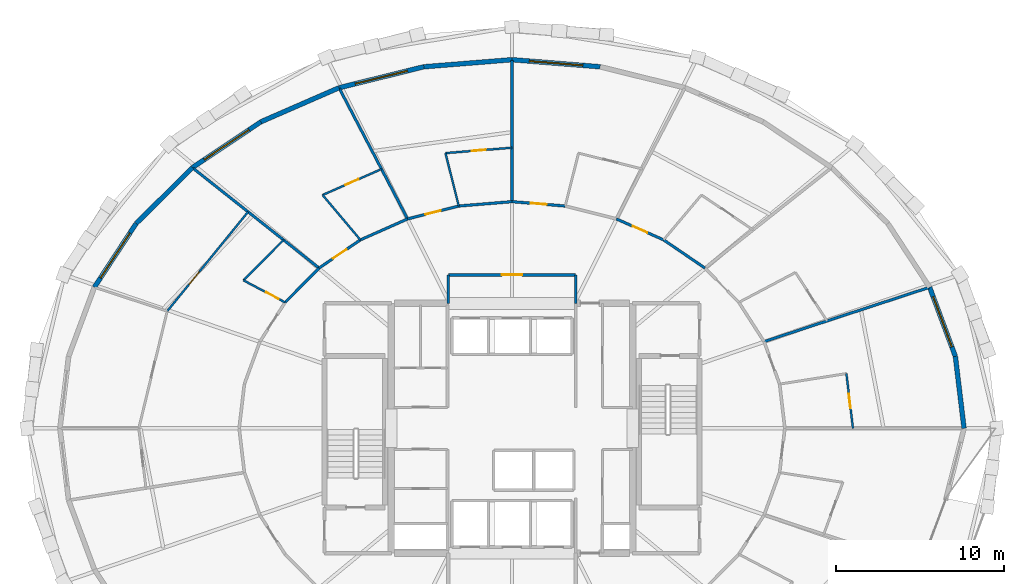
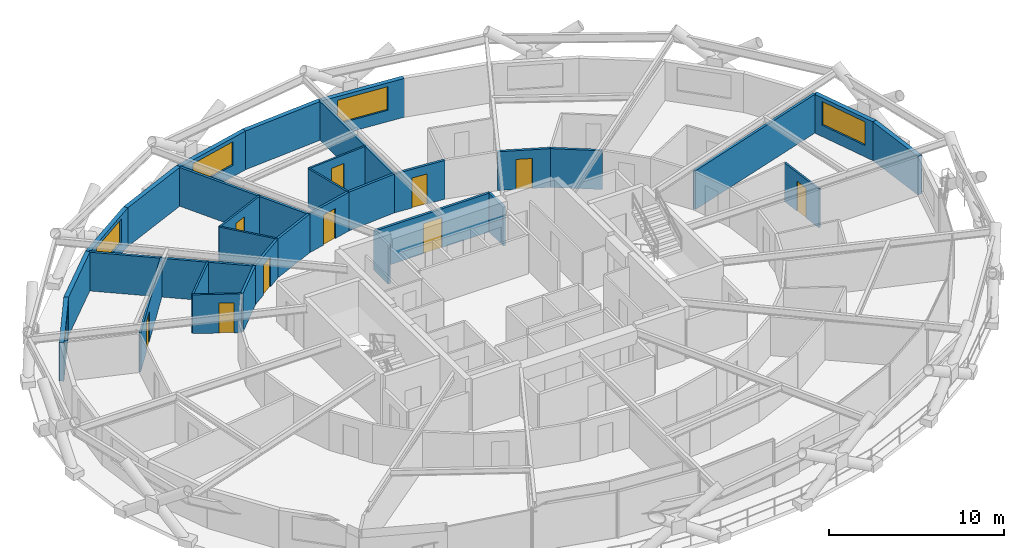
# One storey, part 17 of 21: 32 walls, 10 doors, 5 windows, 15 openings.
"""IFC4 building model written with IfcOpenShell, lengths in metres."""

from ifc_helpers import new_model, si_unit, direction, frame, frame_2d, origin, place, context, subcontext, project, spatial, rectangle, extrude, material, layer, layer_set, type_object, element, fill, save


model = new_model("IFC4")

# Units and contexts
model_context = context("Model", 3, precision=1e-05, world=origin(), true_north=direction((0.0, 1.0)))
body_context = subcontext(model_context, "Body", "Model", "MODEL_VIEW")
ifc_project = project(units=[si_unit("LENGTHUNIT", "METRE"), si_unit("AREAUNIT", "SQUARE_METRE"), si_unit("VOLUMEUNIT", "CUBIC_METRE"), si_unit("PLANEANGLEUNIT", "RADIAN"), si_unit("MASSUNIT", "GRAM", prefix="KILO")], contexts=[model_context])

# Site, building, storey
site_placement = place(None, origin())
site = spatial("IfcSite", under=ifc_project, at=site_placement, CompositionType="ELEMENT")
building_placement = place(site_placement, origin())
building = spatial("IfcBuilding", under=site, at=building_placement, Name="Veldorina Hangang Commons", CompositionType="ELEMENT")
storey_placement = place(building_placement, frame((0.0, 0.0, 91.60009765625)))
storey = spatial("IfcBuildingStorey", under=building, at=storey_placement, Name="L23", CompositionType="ELEMENT", Elevation=91.60009765625)

# Wall
ifc_material_1 = material(Name="Stone Roman Travertine", Category="masonry")
ifc_layer_1 = layer(ifc_material_1, 0.280029296875)
ifc_layer_set_1 = layer_set([ifc_layer_1], Name="Stone Roman Travertine")
wall_type_1 = type_object("IfcWallType", Name="EW-TRAV-280", PredefinedType="STANDARD", material=ifc_layer_set_1)
wall_1_placement = place(storey_placement, frame((58.96142578125, 24.0, 0.0), z_axis=(0.0, 0.0, 1.0), x_axis=(-0.11991619344, 0.992784018078, 0.0)))
element("IfcWall", 1, at=wall_1_placement, inside=storey, type_object=wall_type_1, Name="L23 travertine facade wall 00", PredefinedType="STANDARD", context=body_context, shape_type="SweptSolid", body=[
    extrude(rectangle(XDim=4.3203125, YDim=0.280029296875, at=frame_2d((2.16015625, 0.0))), origin(), (0.0, 0.0, 1.0), 2.7099609375),
])

# Wall, opening, window
wall_2_placement = place(storey_placement, frame((58.443359375, 28.2890625, 0.0), z_axis=(0.0, 0.0, 1.0), x_axis=(-0.348647575397, 0.937253897388, 0.0)))
wall_2 = element("IfcWall", 2, at=wall_2_placement, inside=storey, type_object=wall_type_1, Name="L23 travertine facade wall 01", PredefinedType="STANDARD", context=body_context, shape_type="SweptSolid", body=[
    extrude(rectangle(XDim=4.400390625, YDim=0.280029296875, at=frame_2d((2.2001953125, 0.0))), origin(), (0.0, 0.0, 1.0), 2.7099609375),
])
opening_1_placement = place(wall_2_placement, frame((0.60009765625, 0.0, 0.800048828125)))
opening_1 = element("IfcOpeningElement", 3, at=opening_1_placement, cuts=wall_2, Name="Opening W-01", PredefinedType="OPENING", context=body_context, shape_type="SweptSolid", body=[
    extrude(rectangle(XDim=3.199951171875, YDim=1.64990234375, at=frame_2d((1.60009765625, 0.824951171875))), frame((0.0, 0.14990234375, 0.0), z_axis=(0.0, -1.0, 0.0), x_axis=(1.0, 0.0, 0.0)), (0.0, 0.0, 1.0), 0.300048828125),
])
ifc_material_2 = material(Name="Glass Low-E Triple IGU", Category="glass")
window_type = type_object("IfcWindowType", Name="WIN-TWR-3200", PartitioningType="SINGLE_PANEL", PredefinedType="WINDOW", material=ifc_material_2)
window_1_placement = place(opening_1_placement, origin())
window_1 = element("IfcWindow", 4, at=window_1_placement, inside=storey, type_object=window_type, Name="L23 facade window 01", OverallHeight=1.64990234375, OverallWidth=3.199951171875, PartitioningType="SINGLE_PANEL", PredefinedType="WINDOW", context=body_context, shape_type="SweptSolid", body=[
    extrude(rectangle(XDim=3.199951171875, YDim=1.64990234375, at=frame_2d((1.60009765625, 0.824951171875))), frame((0.0, 0.030029296875, 0.0), z_axis=(0.0, -1.0, 0.0), x_axis=(1.0, 0.0, 0.0)), (0.0, 0.0, 1.0), 0.06005859375),
])
fill(opening_1, window_1)

wall_3_placement = place(storey_placement, frame((37.260009765625, 45.5625, 0.0), z_axis=(0.0, 0.0, 1.0), x_axis=(-0.996788005548, 0.080085404391, 0.0)))
wall_3 = element("IfcWall", 5, at=wall_3_placement, inside=storey, type_object=wall_type_1, Name="L23 travertine facade wall 07", PredefinedType="STANDARD", context=body_context, shape_type="SweptSolid", body=[
    extrude(rectangle(XDim=5.27685546875, YDim=0.280029296875, at=frame_2d((2.638427734375, 0.0))), origin(), (0.0, 0.0, 1.0), 2.7099609375),
])
opening_2_placement = place(wall_3_placement, frame((1.038330078125, 0.0, 0.800048828125)))
opening_2 = element("IfcOpeningElement", 6, at=opening_2_placement, cuts=wall_3, Name="Opening W-01", PredefinedType="OPENING", context=body_context, shape_type="SweptSolid", body=[
    extrude(rectangle(XDim=3.199951171875, YDim=1.64990234375, at=frame_2d((1.60009765625, 0.824951171875))), frame((0.0, 0.14990234375, 0.0), z_axis=(0.0, -1.0, 0.0), x_axis=(1.0, 0.0, 0.0)), (0.0, 0.0, 1.0), 0.300048828125),
])
window_2_placement = place(opening_2_placement, origin())
window_2 = element("IfcWindow", 7, at=window_2_placement, inside=storey, type_object=window_type, Name="L23 facade window 07", OverallHeight=1.64990234375, OverallWidth=3.199951171875, PartitioningType="SINGLE_PANEL", PredefinedType="WINDOW", context=body_context, shape_type="SweptSolid", body=[
    extrude(rectangle(XDim=3.199951171875, YDim=1.64990234375, at=frame_2d((1.60009765625, 0.824951171875))), frame((0.0, 0.030029296875, 0.0), z_axis=(0.0, -1.0, 0.0), x_axis=(1.0, 0.0, 0.0)), (0.0, 0.0, 1.0), 0.06005859375),
])
fill(opening_2, window_2)

# Wall
wall_4_placement = place(storey_placement, frame((32.0, 45.985107421875, 0.0), z_axis=(0.0, 0.0, 1.0), x_axis=(-0.996788005548, -0.080085404391, 0.0)))
element("IfcWall", 8, at=wall_4_placement, inside=storey, type_object=wall_type_1, Name="L23 travertine facade wall 08", PredefinedType="STANDARD", context=body_context, shape_type="SweptSolid", body=[
    extrude(rectangle(XDim=5.27685546875, YDim=0.280029296875, at=frame_2d((2.638427734375, 0.0))), origin(), (0.0, 0.0, 1.0), 2.7099609375),
])

# Wall, opening, window
wall_5_placement = place(storey_placement, frame((26.739990234375, 45.5625, 0.0), z_axis=(0.0, 0.0, 1.0), x_axis=(-0.970745887498, -0.240109187466, 0.0)))
wall_5 = element("IfcWall", 9, at=wall_5_placement, inside=storey, type_object=wall_type_1, Name="L23 travertine facade wall 09", PredefinedType="STANDARD", context=body_context, shape_type="SweptSolid", body=[
    extrude(rectangle(XDim=5.2099609375, YDim=0.280029296875, at=frame_2d((2.60498046875, 0.0))), origin(), (0.0, 0.0, 1.0), 2.7099609375),
])
opening_3_placement = place(wall_5_placement, frame((1.005126953125, 0.0, 0.800048828125)))
opening_3 = element("IfcOpeningElement", 10, at=opening_3_placement, cuts=wall_5, Name="Opening W-01", PredefinedType="OPENING", context=body_context, shape_type="SweptSolid", body=[
    extrude(rectangle(XDim=3.199951171875, YDim=1.64990234375, at=frame_2d((1.60009765625, 0.824951171875))), frame((0.0, 0.14990234375, 0.0), z_axis=(0.0, -1.0, 0.0), x_axis=(1.0, 0.0, 0.0)), (0.0, 0.0, 1.0), 0.300048828125),
])
window_3_placement = place(opening_3_placement, origin())
window_3 = element("IfcWindow", 11, at=window_3_placement, inside=storey, type_object=window_type, Name="L23 facade window 09", OverallHeight=1.64990234375, OverallWidth=3.199951171875, PartitioningType="SINGLE_PANEL", PredefinedType="WINDOW", context=body_context, shape_type="SweptSolid", body=[
    extrude(rectangle(XDim=3.199951171875, YDim=1.64990234375, at=frame_2d((1.60009765625, 0.824951171875))), frame((0.0, 0.030029296875, 0.0), z_axis=(0.0, -1.0, 0.0), x_axis=(1.0, 0.0, 0.0)), (0.0, 0.0, 1.0), 0.06005859375),
])
fill(opening_3, window_3)

# Wall
wall_6_placement = place(storey_placement, frame((21.682373046875, 44.3115234375, 0.0), z_axis=(0.0, 0.0, 1.0), x_axis=(-0.916706336202, -0.399561626244, 0.0)))
element("IfcWall", 12, at=wall_6_placement, inside=storey, type_object=wall_type_1, Name="L23 travertine facade wall 10", PredefinedType="STANDARD", context=body_context, shape_type="SweptSolid", body=[
    extrude(rectangle(XDim=5.0849609375, YDim=0.280029296875, at=frame_2d((2.54248046875, 0.0))), origin(), (0.0, 0.0, 1.0), 2.7099609375),
])

# Wall, opening, window
wall_7_placement = place(storey_placement, frame((17.02099609375, 42.27978515625, 0.0), z_axis=(0.0, 0.0, 1.0), x_axis=(-0.831078719633, -0.556154800189, 0.0)))
wall_7 = element("IfcWall", 13, at=wall_7_placement, inside=storey, type_object=wall_type_1, Name="L23 travertine facade wall 11", PredefinedType="STANDARD", context=body_context, shape_type="SweptSolid", body=[
    extrude(rectangle(XDim=4.916015625, YDim=0.280029296875, at=frame_2d((2.4580078125, 0.0))), origin(), (0.0, 0.0, 1.0), 2.7099609375),
])
opening_4_placement = place(wall_7_placement, frame((0.858154296875, 0.0, 0.800048828125)))
opening_4 = element("IfcOpeningElement", 14, at=opening_4_placement, cuts=wall_7, Name="Opening W-01", PredefinedType="OPENING", context=body_context, shape_type="SweptSolid", body=[
    extrude(rectangle(XDim=3.199951171875, YDim=1.64990234375, at=frame_2d((1.60009765625, 0.824951171875))), frame((0.0, 0.14990234375, 0.0), z_axis=(0.0, -1.0, 0.0), x_axis=(1.0, 0.0, 0.0)), (0.0, 0.0, 1.0), 0.300048828125),
])
window_4_placement = place(opening_4_placement, origin())
window_4 = element("IfcWindow", 15, at=window_4_placement, inside=storey, type_object=window_type, Name="L23 facade window 11", OverallHeight=1.64990234375, OverallWidth=3.199951171875, PartitioningType="SINGLE_PANEL", PredefinedType="WINDOW", context=body_context, shape_type="SweptSolid", body=[
    extrude(rectangle(XDim=3.199951171875, YDim=1.64990234375, at=frame_2d((1.60009765625, 0.824951171875))), frame((0.0, 0.030029296875, 0.0), z_axis=(0.0, -1.0, 0.0), x_axis=(1.0, 0.0, 0.0)), (0.0, 0.0, 1.0), 0.06005859375),
])
fill(opening_4, window_4)

# Wall
wall_8_placement = place(storey_placement, frame((12.935302734375, 39.545654296875, 0.0), z_axis=(0.0, 0.0, 1.0), x_axis=(-0.709375776042, -0.704830482006, 0.0)))
element("IfcWall", 16, at=wall_8_placement, inside=storey, type_object=wall_type_1, Name="L23 travertine facade wall 12", PredefinedType="STANDARD", context=body_context, shape_type="SweptSolid", body=[
    extrude(rectangle(XDim=4.726806640625, YDim=0.280029296875, at=frame_2d((2.36328125, 0.0))), origin(), (0.0, 0.0, 1.0), 2.7099609375),
])

# Wall, opening, window
wall_9_placement = place(storey_placement, frame((9.582275390625, 36.214111328125, 0.0), z_axis=(0.0, 0.0, 1.0), x_axis=(-0.548224545432, -0.836331183076, 0.0)))
wall_9 = element("IfcWall", 17, at=wall_9_placement, inside=storey, type_object=wall_type_1, Name="L23 travertine facade wall 13", PredefinedType="STANDARD", context=body_context, shape_type="SweptSolid", body=[
    extrude(rectangle(XDim=4.544677734375, YDim=0.280029296875, at=frame_2d((2.2724609375, 0.0))), origin(), (0.0, 0.0, 1.0), 2.7099609375),
])
opening_5_placement = place(wall_9_placement, frame((0.67236328125, 0.0, 0.800048828125)))
opening_5 = element("IfcOpeningElement", 18, at=opening_5_placement, cuts=wall_9, Name="Opening W-01", PredefinedType="OPENING", context=body_context, shape_type="SweptSolid", body=[
    extrude(rectangle(XDim=3.199951171875, YDim=1.64990234375, at=frame_2d((1.60009765625, 0.824951171875))), frame((0.0, 0.14990234375, 0.0), z_axis=(0.0, -1.0, 0.0), x_axis=(1.0, 0.0, 0.0)), (0.0, 0.0, 1.0), 0.300048828125),
])
window_5_placement = place(opening_5_placement, origin())
window_5 = element("IfcWindow", 19, at=window_5_placement, inside=storey, type_object=window_type, Name="L23 facade window 13", OverallHeight=1.64990234375, OverallWidth=3.199951171875, PartitioningType="SINGLE_PANEL", PredefinedType="WINDOW", context=body_context, shape_type="SweptSolid", body=[
    extrude(rectangle(XDim=3.199951171875, YDim=1.64990234375, at=frame_2d((1.60009765625, 0.824951171875))), frame((0.0, 0.030029296875, 0.0), z_axis=(0.0, -1.0, 0.0), x_axis=(1.0, 0.0, 0.0)), (0.0, 0.0, 1.0), 0.06005859375),
])
fill(opening_5, window_5)

# Walls
ifc_material_3 = material(Name="Gypsum Fire-Rated Twin Stud Wall", Category="gypsum")
ifc_layer_2 = layer(ifc_material_3, 0.159912109375)
ifc_layer_set_2 = layer_set([ifc_layer_2], Name="Gypsum Fire-Rated Twin Stud Wall")
wall_type_2 = type_object("IfcWallType", Name="WL-FIRE-160", PredefinedType="SOLIDWALL", material=ifc_layer_set_2)
for number, where, z_axis, x_axis, name in (
    (20, (28.199951171875, 31.449951171875, 0.0), (0.0, 0.0, 1.0), (0.0, 1.0, 0.0), "L23 North lobby west wall 032"),
    (21, (35.800048828125, 31.449951171875, 0.0), (0.0, 0.0, 1.0), (0.0, 1.0, 0.0), "L23 North lobby east wall 033"),
):
    element("IfcWall", number, at=place(storey_placement, frame(where, z_axis=z_axis, x_axis=x_axis)), inside=storey, type_object=wall_type_2, Name=name, PredefinedType="SOLIDWALL", context=body_context, shape_type="SweptSolid", body=[
        extrude(rectangle(XDim=1.699951171875, YDim=0.159912109375, at=frame_2d((0.85009765625, 0.0))), origin(), (0.0, 0.0, 1.0), 2.7099609375),
    ])

# Wall, opening, door
wall_10_placement = place(storey_placement, frame((28.199951171875, 33.14990234375, 0.0), z_axis=(0.0, 0.0, 1.0), x_axis=(1.0, 0.0, 0.0)))
wall_10 = element("IfcWall", 22, at=wall_10_placement, inside=storey, type_object=wall_type_2, Name="L23 North lobby north wall 034", PredefinedType="SOLIDWALL", context=body_context, shape_type="SweptSolid", body=[
    extrude(rectangle(XDim=7.60009765625, YDim=0.159912109375, at=frame_2d((3.800048828125, 0.0))), origin(), (0.0, 0.0, 1.0), 2.7099609375),
])
opening_6_placement = place(wall_10_placement, frame((3.199951171875, 0.0, 0.0)))
opening_6 = element("IfcOpeningElement", 23, at=opening_6_placement, cuts=wall_10, Name="Opening D-09", PredefinedType="OPENING", context=body_context, shape_type="SweptSolid", body=[
    extrude(rectangle(XDim=1.199951171875, YDim=2.10009765625, at=frame_2d((0.60009765625, 1.050048828125))), frame((0.0, 0.08984375, 0.0), z_axis=(0.0, -1.0, 0.0), x_axis=(1.0, 0.0, 0.0)), (0.0, 0.0, 1.0), 0.179931640625),
])
ifc_material_4 = material(Name="Steel Fire-Rated Corridor Door", Category="steel")
door_type_1 = type_object("IfcDoorType", Name="DR-FIRE-1200", OperationType="SINGLE_SWING_LEFT", PredefinedType="DOOR", material=ifc_material_4)
door_1_placement = place(opening_6_placement, origin())
door_1 = element("IfcDoor", 24, at=door_1_placement, inside=storey, type_object=door_type_1, Name="L23 North lift lobby corridor door 012", OperationType="SINGLE_SWING_RIGHT", OverallHeight=2.10009765625, OverallWidth=1.199951171875, PredefinedType="DOOR", context=body_context, shape_type="SweptSolid", body=[
    extrude(rectangle(XDim=1.199951171875, YDim=2.10009765625, at=frame_2d((0.60009765625, 1.050048828125))), frame((0.0, 0.02490234375, 0.0), z_axis=(0.0, -1.0, 0.0), x_axis=(1.0, 0.0, 0.0)), (0.0, 0.0, 1.0), 0.050048828125),
])
fill(opening_6, door_1)

# Wall
wall_11_placement = place(storey_placement, frame((43.507568359375, 33.55859375, 0.0), z_axis=(0.0, 0.0, 1.0), x_axis=(-0.826293096206, 0.56324037423, 0.0)))
element("IfcWall", 25, at=wall_11_placement, inside=storey, type_object=wall_type_2, Name="L23 Corridor outer wall 04 052", PredefinedType="SOLIDWALL", context=body_context, shape_type="SweptSolid", body=[
    extrude(rectangle(XDim=2.98486328125, YDim=0.159912109375, at=frame_2d((1.492431640625, 0.0))), origin(), (0.0, 0.0, 1.0), 2.7099609375),
])

# Wall, opening, door
wall_12_placement = place(storey_placement, frame((41.041259765625, 35.23974609375, 0.0), z_axis=(0.0, 0.0, 1.0), x_axis=(-0.913952123493, 0.405822024984, 0.0)))
wall_12 = element("IfcWall", 26, at=wall_12_placement, inside=storey, type_object=wall_type_2, Name="L23 Corridor outer wall 05 053", PredefinedType="SOLIDWALL", context=body_context, shape_type="SweptSolid", body=[
    extrude(rectangle(XDim=3.078369140625, YDim=0.159912109375, at=frame_2d((1.5390625, 0.0))), origin(), (0.0, 0.0, 1.0), 2.7099609375),
])
opening_7_placement = place(wall_12_placement, frame((1.064208984375, 0.0, 0.0)))
opening_7 = element("IfcOpeningElement", 27, at=opening_7_placement, cuts=wall_12, Name="Opening D-03", PredefinedType="OPENING", context=body_context, shape_type="SweptSolid", body=[
    extrude(rectangle(XDim=0.949951171875, YDim=2.10009765625, at=frame_2d((0.47509765625, 1.050048828125))), frame((0.0, 0.08984375, 0.0), z_axis=(0.0, -1.0, 0.0), x_axis=(1.0, 0.0, 0.0)), (0.0, 0.0, 1.0), 0.179931640625),
])
ifc_material_5 = material(Name="Timber Fire-Rated Entrance Core", Category="wood")
door_type_2 = type_object("IfcDoorType", Name="DR-UNIT-950", OperationType="SINGLE_SWING_RIGHT", PredefinedType="DOOR", material=ifc_material_5)
door_2_placement = place(opening_7_placement, origin())
door_2 = element("IfcDoor", 28, at=door_2_placement, inside=storey, type_object=door_type_2, Name="L23 Studio 6 entrance door 031", OperationType="SINGLE_SWING_LEFT", OverallHeight=2.10009765625, OverallWidth=0.949951171875, PredefinedType="DOOR", context=body_context, shape_type="SweptSolid", body=[
    extrude(rectangle(XDim=0.949951171875, YDim=2.10009765625, at=frame_2d((0.47509765625, 1.050048828125))), frame((0.0, 0.02490234375, 0.0), z_axis=(0.0, -1.0, 0.0), x_axis=(1.0, 0.0, 0.0)), (0.0, 0.0, 1.0), 0.050048828125),
])
fill(opening_7, door_2)

wall_13_placement = place(storey_placement, frame((35.1748046875, 37.25830078125, 0.0), z_axis=(0.0, 0.0, 1.0), x_axis=(-0.996669377538, 0.081548463373, 0.0)))
wall_13 = element("IfcWall", 29, at=wall_13_placement, inside=storey, type_object=wall_type_2, Name="L23 Corridor outer wall 07 055", PredefinedType="SOLIDWALL", context=body_context, shape_type="SweptSolid", body=[
    extrude(rectangle(XDim=3.185302734375, YDim=0.159912109375, at=frame_2d((1.5927734375, 0.0))), origin(), (0.0, 0.0, 1.0), 2.7099609375),
])
opening_8_placement = place(wall_13_placement, frame((1.117919921875, 0.0, 0.0)))
opening_8 = element("IfcOpeningElement", 30, at=opening_8_placement, cuts=wall_13, Name="Opening D-03", PredefinedType="OPENING", context=body_context, shape_type="SweptSolid", body=[
    extrude(rectangle(XDim=0.949951171875, YDim=2.10009765625, at=frame_2d((0.47509765625, 1.050048828125))), frame((0.0, 0.08984375, 0.0), z_axis=(0.0, -1.0, 0.0), x_axis=(1.0, 0.0, 0.0)), (0.0, 0.0, 1.0), 0.179931640625),
])
door_3_placement = place(opening_8_placement, origin())
door_3 = element("IfcDoor", 31, at=door_3_placement, inside=storey, type_object=door_type_2, Name="L23 Studio 7 entrance door 033", OperationType="SINGLE_SWING_LEFT", OverallHeight=2.10009765625, OverallWidth=0.949951171875, PredefinedType="DOOR", context=body_context, shape_type="SweptSolid", body=[
    extrude(rectangle(XDim=0.949951171875, YDim=2.10009765625, at=frame_2d((0.47509765625, 1.050048828125))), frame((0.0, 0.02490234375, 0.0), z_axis=(0.0, -1.0, 0.0), x_axis=(1.0, 0.0, 0.0)), (0.0, 0.0, 1.0), 0.050048828125),
])
fill(opening_8, door_3)

# Wall
wall_14_placement = place(storey_placement, frame((32.0, 37.51806640625, 0.0), z_axis=(0.0, 0.0, 1.0), x_axis=(-0.996669377538, -0.081548463373, 0.0)))
element("IfcWall", 32, at=wall_14_placement, inside=storey, type_object=wall_type_2, Name="L23 Corridor outer wall 08 056", PredefinedType="SOLIDWALL", context=body_context, shape_type="SweptSolid", body=[
    extrude(rectangle(XDim=3.185302734375, YDim=0.159912109375, at=frame_2d((1.5927734375, 0.0))), origin(), (0.0, 0.0, 1.0), 2.7099609375),
])

# Wall, opening, door
wall_15_placement = place(storey_placement, frame((28.8251953125, 37.25830078125, 0.0), z_axis=(0.0, 0.0, 1.0), x_axis=(-0.969689238064, -0.244341526521, 0.0)))
wall_15 = element("IfcWall", 33, at=wall_15_placement, inside=storey, type_object=wall_type_2, Name="L23 Corridor outer wall 09 057", PredefinedType="SOLIDWALL", context=body_context, shape_type="SweptSolid", body=[
    extrude(rectangle(XDim=3.1484375, YDim=0.159912109375, at=frame_2d((1.57421875, 0.0))), origin(), (0.0, 0.0, 1.0), 2.7099609375),
])
opening_9_placement = place(wall_15_placement, frame((1.09912109375, 0.0, 0.0)))
opening_9 = element("IfcOpeningElement", 34, at=opening_9_placement, cuts=wall_15, Name="Opening D-03", PredefinedType="OPENING", context=body_context, shape_type="SweptSolid", body=[
    extrude(rectangle(XDim=0.949951171875, YDim=2.10009765625, at=frame_2d((0.47509765625, 1.050048828125))), frame((0.0, 0.08984375, 0.0), z_axis=(0.0, -1.0, 0.0), x_axis=(1.0, 0.0, 0.0)), (0.0, 0.0, 1.0), 0.179931640625),
])
door_4_placement = place(opening_9_placement, origin())
door_4 = element("IfcDoor", 35, at=door_4_placement, inside=storey, type_object=door_type_2, Name="L23 Studio 8 entrance door 035", OperationType="SINGLE_SWING_LEFT", OverallHeight=2.10009765625, OverallWidth=0.949951171875, PredefinedType="DOOR", context=body_context, shape_type="SweptSolid", body=[
    extrude(rectangle(XDim=0.949951171875, YDim=2.10009765625, at=frame_2d((0.47509765625, 1.050048828125))), frame((0.0, 0.02490234375, 0.0), z_axis=(0.0, -1.0, 0.0), x_axis=(1.0, 0.0, 0.0)), (0.0, 0.0, 1.0), 0.050048828125),
])
fill(opening_9, door_4)

# Wall
wall_16_placement = place(storey_placement, frame((25.772216796875, 36.489013671875, 0.0), z_axis=(0.0, 0.0, 1.0), x_axis=(-0.913952123493, -0.405822024984, 0.0)))
element("IfcWall", 36, at=wall_16_placement, inside=storey, type_object=wall_type_2, Name="L23 Corridor outer wall 10 058", PredefinedType="SOLIDWALL", context=body_context, shape_type="SweptSolid", body=[
    extrude(rectangle(XDim=3.078369140625, YDim=0.159912109375, at=frame_2d((1.5390625, 0.0))), origin(), (0.0, 0.0, 1.0), 2.7099609375),
])

# Wall, opening, door
wall_17_placement = place(storey_placement, frame((22.958740234375, 35.23974609375, 0.0), z_axis=(0.0, 0.0, 1.0), x_axis=(-0.826293096206, -0.56324037423, 0.0)))
wall_17 = element("IfcWall", 37, at=wall_17_placement, inside=storey, type_object=wall_type_2, Name="L23 Corridor outer wall 11 059", PredefinedType="SOLIDWALL", context=body_context, shape_type="SweptSolid", body=[
    extrude(rectangle(XDim=2.98486328125, YDim=0.159912109375, at=frame_2d((1.492431640625, 0.0))), origin(), (0.0, 0.0, 1.0), 2.7099609375),
])
opening_10_placement = place(wall_17_placement, frame((1.017333984375, 0.0, 0.0)))
opening_10 = element("IfcOpeningElement", 38, at=opening_10_placement, cuts=wall_17, Name="Opening D-03", PredefinedType="OPENING", context=body_context, shape_type="SweptSolid", body=[
    extrude(rectangle(XDim=0.949951171875, YDim=2.10009765625, at=frame_2d((0.47509765625, 1.050048828125))), frame((0.0, 0.08984375, 0.0), z_axis=(0.0, -1.0, 0.0), x_axis=(1.0, 0.0, 0.0)), (0.0, 0.0, 1.0), 0.179931640625),
])
door_5_placement = place(opening_10_placement, origin())
door_5 = element("IfcDoor", 39, at=door_5_placement, inside=storey, type_object=door_type_2, Name="L23 Studio 9 entrance door 037", OperationType="SINGLE_SWING_LEFT", OverallHeight=2.10009765625, OverallWidth=0.949951171875, PredefinedType="DOOR", context=body_context, shape_type="SweptSolid", body=[
    extrude(rectangle(XDim=0.949951171875, YDim=2.10009765625, at=frame_2d((0.47509765625, 1.050048828125))), frame((0.0, 0.02490234375, 0.0), z_axis=(0.0, -1.0, 0.0), x_axis=(1.0, 0.0, 0.0)), (0.0, 0.0, 1.0), 0.050048828125),
])
fill(opening_10, door_5)

# Walls
wall_18_placement = place(storey_placement, frame((20.492431640625, 33.55859375, 0.0), z_axis=(0.0, 0.0, 1.0), x_axis=(-0.702811997, -0.711375636969, 0.0)))
element("IfcWall", 40, at=wall_18_placement, inside=storey, type_object=wall_type_2, Name="L23 Corridor outer wall 12 060", PredefinedType="SOLIDWALL", context=body_context, shape_type="SweptSolid", body=[
    extrude(rectangle(XDim=2.87939453125, YDim=0.159912109375, at=frame_2d((1.439697265625, 0.0))), origin(), (0.0, 0.0, 1.0), 2.7099609375),
])
wall_19_placement = place(storey_placement, frame((47.03515625, 29.173095703125, 0.0), z_axis=(0.0, 0.0, 1.0), x_axis=(0.950150689475, 0.311791063518, 0.0)))
element("IfcWall", 41, at=wall_19_placement, inside=storey, type_object=wall_type_2, Name="L23 Unit party wall 02 094", PredefinedType="SOLIDWALL", context=body_context, shape_type="SweptSolid", body=[
    extrude(rectangle(XDim=10.34228515625, YDim=0.159912109375, at=frame_2d((5.171142578125, 0.0))), origin(), (0.0, 0.0, 1.0), 2.7099609375),
])
wall_20_placement = place(storey_placement, frame((32.0, 37.51806640625, 0.0), z_axis=(0.0, 0.0, 1.0), x_axis=(0.0, 1.0, 0.0)))
element("IfcWall", 42, at=wall_20_placement, inside=storey, type_object=wall_type_2, Name="L23 Unit party wall 08 103", PredefinedType="SOLIDWALL", context=body_context, shape_type="SweptSolid", body=[
    extrude(rectangle(XDim=8.4169921875, YDim=0.159912109375, at=frame_2d((4.20849609375, 0.0))), origin(), (0.0, 0.0, 1.0), 2.7099609375),
])
wall_21_placement = place(storey_placement, frame((25.772216796875, 36.489013671875, 0.0), z_axis=(0.0, 0.0, 1.0), x_axis=(-0.463329180803, 0.886186250297, 0.0)))
element("IfcWall", 43, at=wall_21_placement, inside=storey, type_object=wall_type_2, Name="L23 Unit party wall 10 106", PredefinedType="SOLIDWALL", context=body_context, shape_type="SweptSolid", body=[
    extrude(rectangle(XDim=8.777099609375, YDim=0.159912109375, at=frame_2d((4.388671875, 0.0))), origin(), (0.0, 0.0, 1.0), 2.7099609375),
])
wall_22_placement = place(storey_placement, frame((20.492431640625, 33.55859375, 0.0), z_axis=(0.0, 0.0, 1.0), x_axis=(-0.783820213827, 0.620987819846, 0.0)))
element("IfcWall", 44, at=wall_22_placement, inside=storey, type_object=wall_type_2, Name="L23 Unit party wall 12 109", PredefinedType="SOLIDWALL", context=body_context, shape_type="SweptSolid", body=[
    extrude(rectangle(XDim=9.59130859375, YDim=0.159912109375, at=frame_2d((4.795654296875, 0.0))), origin(), (0.0, 0.0, 1.0), 2.7099609375),
])

# Wall, opening, door
ifc_material_6 = material(Name="Gypsum Acoustic Stud Partition", Category="gypsum")
ifc_layer_3 = layer(ifc_material_6, 0.1201171875)
ifc_layer_set_3 = layer_set([ifc_layer_3], Name="Gypsum Acoustic Stud Partition")
wall_type_3 = type_object("IfcWallType", Name="WL-PART-120", PredefinedType="PARTITIONING", material=ifc_layer_set_3)
wall_23_placement = place(storey_placement, frame((52.335205078125, 24.0, 0.0), z_axis=(0.0, 0.0, 1.0), x_axis=(-0.118796809784, 0.992918585779, 0.0)))
wall_23 = element("IfcWall", 45, at=wall_23_placement, inside=storey, type_object=wall_type_3, Name="L23 Studio 4 bath front wall 092", PredefinedType="PARTITIONING", context=body_context, shape_type="SweptSolid", body=[
    extrude(rectangle(XDim=3.2880859375, YDim=0.1201171875, at=frame_2d((1.64404296875, 0.0))), origin(), (0.0, 0.0, 1.0), 2.7099609375),
])
opening_11_placement = place(wall_23_placement, frame((1.214111328125, 0.0, 0.0)))
opening_11 = element("IfcOpeningElement", 46, at=opening_11_placement, cuts=wall_23, Name="Opening D-01", PredefinedType="OPENING", context=body_context, shape_type="SweptSolid", body=[
    extrude(rectangle(XDim=0.860107421875, YDim=2.10009765625, at=frame_2d((0.43017578125, 1.050048828125))), frame((0.0, 0.070068359375, 0.0), z_axis=(0.0, -1.0, 0.0), x_axis=(1.0, 0.0, 0.0)), (0.0, 0.0, 1.0), 0.14013671875),
])
ifc_material_7 = material(Name="Timber Moisture-Resistant Core", Category="wood")
door_type_3 = type_object("IfcDoorType", Name="DR-WET-860", OperationType="SINGLE_SWING_LEFT", PredefinedType="DOOR", material=ifc_material_7)
door_6_placement = place(opening_11_placement, origin())
door_6 = element("IfcDoor", 47, at=door_6_placement, inside=storey, type_object=door_type_3, Name="L23 Studio 4 bathroom door 026", OperationType="SINGLE_SWING_RIGHT", OverallHeight=2.10009765625, OverallWidth=0.860107421875, PredefinedType="DOOR", context=body_context, shape_type="SweptSolid", body=[
    extrude(rectangle(XDim=0.860107421875, YDim=2.10009765625, at=frame_2d((0.43017578125, 1.050048828125))), frame((0.0, 0.02490234375, 0.0), z_axis=(0.0, -1.0, 0.0), x_axis=(1.0, 0.0, 0.0)), (0.0, 0.0, 1.0), 0.050048828125),
])
fill(opening_11, door_6)

wall_24_placement = place(storey_placement, frame((32.0, 40.735595703125, 0.0), z_axis=(0.0, 0.0, 1.0), x_axis=(-0.996726911208, -0.080842219629, 0.0)))
wall_24 = element("IfcWall", 48, at=wall_24_placement, inside=storey, type_object=wall_type_3, Name="L23 Studio 8 bath front wall 104", PredefinedType="PARTITIONING", context=body_context, shape_type="SweptSolid", body=[
    extrude(rectangle(XDim=3.980224609375, YDim=0.1201171875, at=frame_2d((1.990234375, 0.0))), origin(), (0.0, 0.0, 1.0), 2.7099609375),
])
opening_12_placement = place(wall_24_placement, frame((1.56005859375, 0.0, 0.0)))
opening_12 = element("IfcOpeningElement", 49, at=opening_12_placement, cuts=wall_24, Name="Opening D-01", PredefinedType="OPENING", context=body_context, shape_type="SweptSolid", body=[
    extrude(rectangle(XDim=0.860107421875, YDim=2.10009765625, at=frame_2d((0.43017578125, 1.050048828125))), frame((0.0, 0.070068359375, 0.0), z_axis=(0.0, -1.0, 0.0), x_axis=(1.0, 0.0, 0.0)), (0.0, 0.0, 1.0), 0.14013671875),
])
door_7_placement = place(opening_12_placement, origin())
door_7 = element("IfcDoor", 50, at=door_7_placement, inside=storey, type_object=door_type_3, Name="L23 Studio 8 bathroom door 034", OperationType="SINGLE_SWING_RIGHT", OverallHeight=2.10009765625, OverallWidth=0.860107421875, PredefinedType="DOOR", context=body_context, shape_type="SweptSolid", body=[
    extrude(rectangle(XDim=0.860107421875, YDim=2.10009765625, at=frame_2d((0.43017578125, 1.050048828125))), frame((0.0, 0.02490234375, 0.0), z_axis=(0.0, -1.0, 0.0), x_axis=(1.0, 0.0, 0.0)), (0.0, 0.0, 1.0), 0.050048828125),
])
fill(opening_12, door_7)

# Wall
wall_25_placement = place(storey_placement, frame((28.8251953125, 37.25830078125, 0.0), z_axis=(0.0, 0.0, 1.0), x_axis=(-0.243577205712, 0.969881510731, 0.0)))
element("IfcWall", 51, at=wall_25_placement, inside=storey, type_object=wall_type_3, Name="L23 Studio 8 bath side wall 105", PredefinedType="PARTITIONING", context=body_context, shape_type="SweptSolid", body=[
    extrude(rectangle(XDim=3.25341796875, YDim=0.1201171875, at=frame_2d((1.626708984375, 0.0))), origin(), (0.0, 0.0, 1.0), 2.7099609375),
])

# Wall, opening, door
wall_26_placement = place(storey_placement, frame((24.218017578125, 39.461669921875, 0.0), z_axis=(0.0, 0.0, 1.0), x_axis=(-0.915338463075, -0.402685358582, 0.0)))
wall_26 = element("IfcWall", 52, at=wall_26_placement, inside=storey, type_object=wall_type_3, Name="L23 Studio 9 bath front wall 107", PredefinedType="PARTITIONING", context=body_context, shape_type="SweptSolid", body=[
    extrude(rectangle(XDim=3.8408203125, YDim=0.1201171875, at=frame_2d((1.92041015625, 0.0))), origin(), (0.0, 0.0, 1.0), 2.7099609375),
])
opening_13_placement = place(wall_26_placement, frame((1.490478515625, 0.0, 0.0)))
opening_13 = element("IfcOpeningElement", 53, at=opening_13_placement, cuts=wall_26, Name="Opening D-01", PredefinedType="OPENING", context=body_context, shape_type="SweptSolid", body=[
    extrude(rectangle(XDim=0.860107421875, YDim=2.10009765625, at=frame_2d((0.43017578125, 1.050048828125))), frame((0.0, 0.070068359375, 0.0), z_axis=(0.0, -1.0, 0.0), x_axis=(1.0, 0.0, 0.0)), (0.0, 0.0, 1.0), 0.14013671875),
])
door_8_placement = place(opening_13_placement, origin())
door_8 = element("IfcDoor", 54, at=door_8_placement, inside=storey, type_object=door_type_3, Name="L23 Studio 9 bathroom door 036", OperationType="SINGLE_SWING_RIGHT", OverallHeight=2.10009765625, OverallWidth=0.860107421875, PredefinedType="DOOR", context=body_context, shape_type="SweptSolid", body=[
    extrude(rectangle(XDim=0.860107421875, YDim=2.10009765625, at=frame_2d((0.43017578125, 1.050048828125))), frame((0.0, 0.02490234375, 0.0), z_axis=(0.0, -1.0, 0.0), x_axis=(1.0, 0.0, 0.0)), (0.0, 0.0, 1.0), 0.050048828125),
])
fill(opening_13, door_8)

# Walls
wall_27_placement = place(storey_placement, frame((22.958740234375, 35.23974609375, 0.0), z_axis=(0.0, 0.0, 1.0), x_axis=(-0.644715569152, 0.764422549964, 0.0)))
element("IfcWall", 55, at=wall_27_placement, inside=storey, type_object=wall_type_3, Name="L23 Studio 9 bath side wall 108", PredefinedType="PARTITIONING", context=body_context, shape_type="SweptSolid", body=[
    extrude(rectangle(XDim=3.499755859375, YDim=0.1201171875, at=frame_2d((1.75, 0.0))), origin(), (0.0, 0.0, 1.0), 2.7099609375),
])
wall_28_placement = place(storey_placement, frame((18.37646484375, 35.235107421875, 0.0), z_axis=(0.0, 0.0, 1.0), x_axis=(-0.705379680945, -0.708829673271, 0.0)))
element("IfcWall", 56, at=wall_28_placement, inside=storey, type_object=wall_type_3, Name="L23 Cluster 10 bath front wall 110", PredefinedType="PARTITIONING", context=body_context, shape_type="SweptSolid", body=[
    extrude(rectangle(XDim=3.396728515625, YDim=0.1201171875, at=frame_2d((1.6982421875, 0.0))), origin(), (0.0, 0.0, 1.0), 2.7099609375),
])

# Wall, opening, door
wall_29_placement = place(storey_placement, frame((18.46875, 31.51025390625, 0.0), z_axis=(0.0, 0.0, 1.0), x_axis=(-0.883815336017, 0.467835924039, 0.0)))
wall_29 = element("IfcWall", 57, at=wall_29_placement, inside=storey, type_object=wall_type_3, Name="L23 Cluster 10 bath side wall 111", PredefinedType="PARTITIONING", context=body_context, shape_type="SweptSolid", body=[
    extrude(rectangle(XDim=2.8154296875, YDim=0.1201171875, at=frame_2d((1.40771484375, 0.0))), origin(), (0.0, 0.0, 1.0), 2.7099609375),
])
opening_14_placement = place(wall_29_placement, frame((0.43994140625, 0.0, 0.0)))
opening_14 = element("IfcOpeningElement", 58, at=opening_14_placement, cuts=wall_29, Name="Opening D-01", PredefinedType="OPENING", context=body_context, shape_type="SweptSolid", body=[
    extrude(rectangle(XDim=0.860107421875, YDim=2.10009765625, at=frame_2d((0.43017578125, 1.050048828125))), frame((0.0, 0.070068359375, 0.0), z_axis=(0.0, -1.0, 0.0), x_axis=(1.0, 0.0, 0.0)), (0.0, 0.0, 1.0), 0.14013671875),
])
door_9_placement = place(opening_14_placement, origin())
door_9 = element("IfcDoor", 59, at=door_9_placement, inside=storey, type_object=door_type_3, Name="L23 Cluster 10 shared bathroom door 038", OperationType="SINGLE_SWING_RIGHT", OverallHeight=2.10009765625, OverallWidth=0.860107421875, PredefinedType="DOOR", context=body_context, shape_type="SweptSolid", body=[
    extrude(rectangle(XDim=0.860107421875, YDim=2.10009765625, at=frame_2d((0.43017578125, 1.050048828125))), frame((0.0, 0.02490234375, 0.0), z_axis=(0.0, -1.0, 0.0), x_axis=(1.0, 0.0, 0.0)), (0.0, 0.0, 1.0), 0.050048828125),
])
fill(opening_14, door_9)

wall_30_placement = place(storey_placement, frame((16.260498046875, 36.911376953125, 0.0), z_axis=(0.0, 0.0, 1.0), x_axis=(-0.631544914576, -0.775339294034, 0.0)))
wall_30 = element("IfcWall", 60, at=wall_30_placement, inside=storey, type_object=wall_type_3, Name="L23 Cluster 10 bed 1 front wall 112", PredefinedType="PARTITIONING", context=body_context, shape_type="SweptSolid", body=[
    extrude(rectangle(XDim=7.640380859375, YDim=0.1201171875, at=frame_2d((3.8203125, 0.0))), origin(), (0.0, 0.0, 1.0), 2.7099609375),
])
opening_15_placement = place(wall_30_placement, frame((4.623291015625, 0.0, 0.0)))
opening_15 = element("IfcOpeningElement", 61, at=opening_15_placement, cuts=wall_30, Name="Opening D-02", PredefinedType="OPENING", context=body_context, shape_type="SweptSolid", body=[
    extrude(rectangle(XDim=0.949951171875, YDim=2.10009765625, at=frame_2d((0.47509765625, 1.050048828125))), frame((0.0, 0.070068359375, 0.0), z_axis=(0.0, -1.0, 0.0), x_axis=(1.0, 0.0, 0.0)), (0.0, 0.0, 1.0), 0.14013671875),
])
ifc_material_8 = material(Name="Timber Solid Core Acoustic", Category="wood")
door_type_4 = type_object("IfcDoorType", Name="DR-INT-950", OperationType="SINGLE_SWING_LEFT", PredefinedType="DOOR", material=ifc_material_8)
door_10_placement = place(opening_15_placement, origin())
door_10 = element("IfcDoor", 62, at=door_10_placement, inside=storey, type_object=door_type_4, Name="L23 Cluster 10 bed 1 door 040", OperationType="SINGLE_SWING_RIGHT", OverallHeight=2.10009765625, OverallWidth=0.949951171875, PredefinedType="DOOR", context=body_context, shape_type="SweptSolid", body=[
    extrude(rectangle(XDim=0.949951171875, YDim=2.10009765625, at=frame_2d((0.47509765625, 1.050048828125))), frame((0.0, 0.02490234375, 0.0), z_axis=(0.0, -1.0, 0.0), x_axis=(1.0, 0.0, 0.0)), (0.0, 0.0, 1.0), 0.050048828125),
])
fill(opening_15, door_10)

save(model, "model.ifc")
